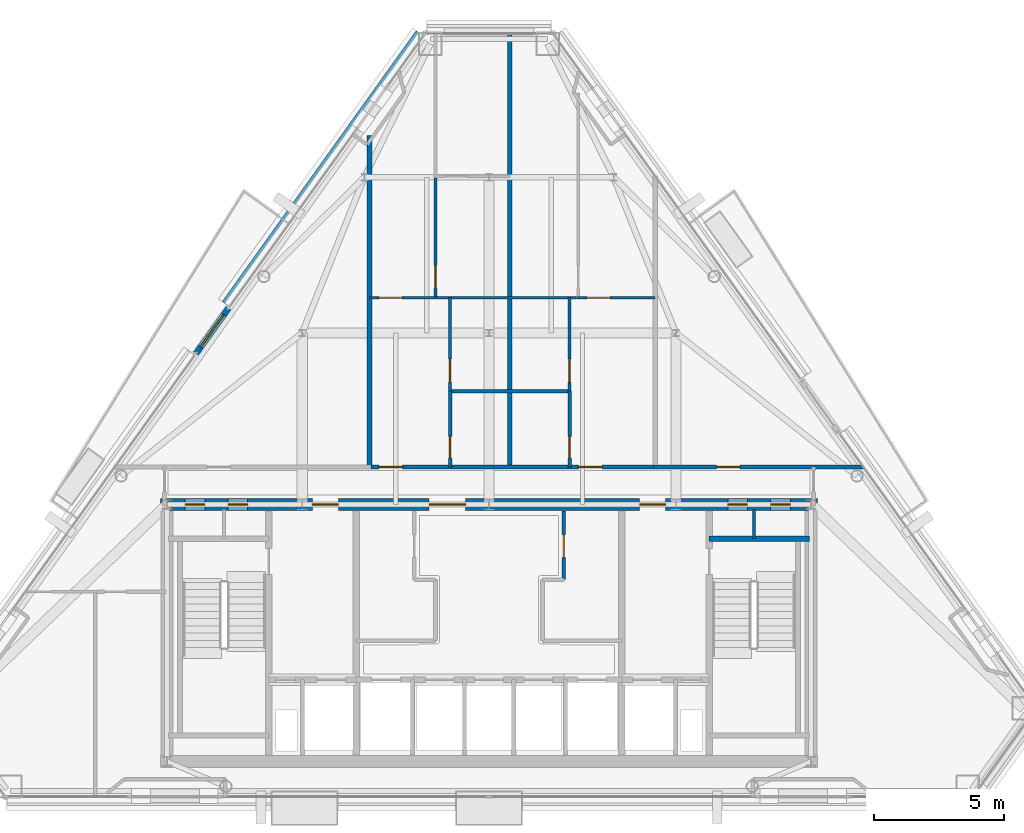
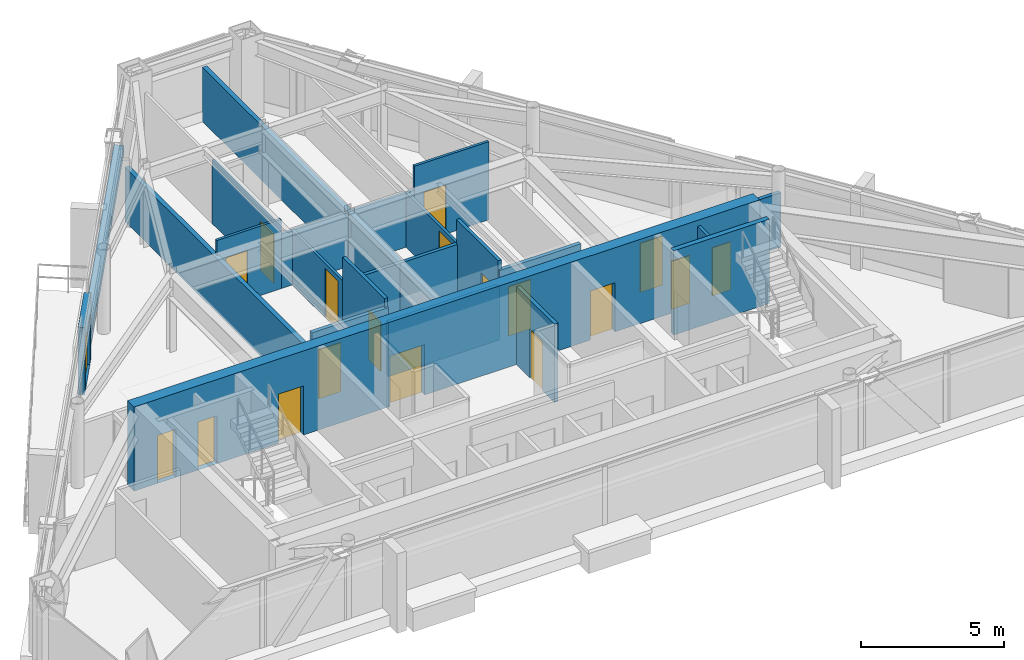
# One storey, part 9 of 12: 21 walls, 19 doors, 19 openings.
"""IFC4 building model written with IfcOpenShell, lengths in metres."""

from ifc_helpers import new_model, si_unit, direction, frame, frame_2d, origin, place, context, subcontext, project, spatial, rectangle, extrude, material, layer, layer_set, type_object, element, fill, save


model = new_model("IFC4")

# Units and contexts
model_context = context("Model", 3, precision=1e-05, world=origin(), true_north=direction((0.0, 1.0)))
body_context = subcontext(model_context, "Body", "Model", "MODEL_VIEW")
ifc_project = project(units=[si_unit("LENGTHUNIT", "METRE"), si_unit("AREAUNIT", "SQUARE_METRE"), si_unit("VOLUMEUNIT", "CUBIC_METRE"), si_unit("PLANEANGLEUNIT", "RADIAN"), si_unit("MASSUNIT", "GRAM", prefix="KILO")], contexts=[model_context])

# Site, building, storey
site_placement = place(None, origin())
site = spatial("IfcSite", under=ifc_project, at=site_placement, CompositionType="ELEMENT")
building_placement = place(site_placement, origin())
building = spatial("IfcBuilding", under=site, at=building_placement, Name="Talgorran Terracotta Tower", CompositionType="ELEMENT")
storey_placement = place(building_placement, frame((0.0, 0.0, 249.0)))
storey = spatial("IfcBuildingStorey", under=building, at=storey_placement, Name="L65", CompositionType="ELEMENT", Elevation=249.0)

# Wall, opening, door
ifc_material_1 = material(Name="Concrete C40/50", Category="concrete")
ifc_layer_1 = layer(ifc_material_1, 0.239990234375, Name="WT_BALCONY_SPAND")
ifc_layer_set_1 = layer_set([ifc_layer_1], Name="Concrete C40/50")
wall_type_1 = type_object("IfcWallType", Name="WT_BALCONY_SPAND", PredefinedType="STANDARD", material=ifc_layer_set_1)
wall_1_placement = place(storey_placement, frame((-10.039306640625, 3.357421875, -0.014892578125), z_axis=(0.0, 0.0, 1.0), x_axis=(-0.58216589686, -0.813070026832, 0.0)))
wall_1 = element("IfcWall", 1, at=wall_1_placement, inside=storey, type_object=wall_type_1, Name="WL-L65-BALP-BAL-NW", PredefinedType="STANDARD", context=body_context, shape_type="SweptSolid", body=[
    extrude(rectangle(XDim=2.14013671875, YDim=0.239990234375, at=frame_2d((1.070068359375, 0.0))), origin(), (0.0, 0.0, 1.0), 2.8779296875),
])
opening_1_placement = place(wall_1_placement, frame((0.320068359375, 0.0, 0.014892578125)))
opening_1 = element("IfcOpeningElement", 2, at=opening_1_placement, cuts=wall_1, Name="Opening D-BAL-L65-2", PredefinedType="OPENING", context=body_context, shape_type="SweptSolid", body=[
    extrude(rectangle(XDim=1.506, YDim=2.203951171875, at=frame_2d((0.75, 1.10205078125))), frame((0.0, 0.1298828125, 0.0), z_axis=(0.0, -1.0, 0.0), x_axis=(1.0, 0.0, 0.0)), (0.0, 0.0, 1.0), 0.260009765625),
])
ifc_material_2 = material(Name="Thermally Broken Aluminium", Category="aluminium")
door_type_1 = type_object("IfcDoorType", Name="DT_BALC_1500", OperationType="SLIDING_TO_RIGHT", PredefinedType="DOOR", material=ifc_material_2)
door_1_placement = place(opening_1_placement, origin())
door_1 = element("IfcDoor", 3, at=door_1_placement, inside=storey, type_object=door_type_1, Name="DR-L65-BAL-BAL-NW", OperationType="SLIDING_TO_RIGHT", OverallHeight=2.199951171875, OverallWidth=1.5, PredefinedType="DOOR", context=body_context, shape_type="SweptSolid", body=[
    extrude(rectangle(XDim=1.5, YDim=2.199951171875, at=frame_2d((0.75, 1.10009765625))), frame((0.0, 0.02490234375, 0.0), z_axis=(0.0, -1.0, 0.0), x_axis=(1.0, 0.0, 0.0)), (0.0, 0.0, 1.0), 0.050048828125),
])
fill(opening_1, door_1)

# Wall
ifc_material_3 = material(Name="Concrete C50/60", Category="concrete")
ifc_layer_2 = layer(ifc_material_3, 0.199951171875, Name="WT_CORE_200")
ifc_layer_set_2 = layer_set([ifc_layer_2], Name="Concrete C50/60")
wall_type_2 = type_object("IfcWallType", Name="WT_CORE_200", PredefinedType="SOLIDWALL", material=ifc_layer_set_2)
wall_2_placement = place(storey_placement, frame((8.47998046875, -5.52001953125, 0.0), z_axis=(0.0, 0.0, 1.0), x_axis=(1.0, 0.0, 0.0)))
element("IfcWall", 4, at=wall_2_placement, inside=storey, type_object=wall_type_2, Name="WL-L65-CW-ST2-N", PredefinedType="SOLIDWALL", context=body_context, shape_type="SweptSolid", body=[
    extrude(rectangle(XDim=3.8701171875, YDim=0.199951171875, at=frame_2d((1.93505859375, 0.0))), origin(), (0.0, 0.0, 1.0), 3.60009765625),
])

# Wall, openings, doors
ifc_material_4 = material(Name="Concrete C65/80", Category="concrete")
ifc_layer_3 = layer(ifc_material_4, 0.449951171875, Name="WT_CORE_EXT")
ifc_layer_set_3 = layer_set([ifc_layer_3], Name="Concrete C65/80")
wall_type_3 = type_object("IfcWallType", Name="WT_CORE_EXT", PredefinedType="SHEAR", material=ifc_layer_set_3)
wall_3_placement = place(storey_placement, frame((-12.64990234375, -4.199951171875, 0.0), z_axis=(0.0, 0.0, 1.0), x_axis=(1.0, 0.0, 0.0)))
wall_3 = element("IfcWall", 5, at=wall_3_placement, inside=storey, type_object=wall_type_3, Name="WL-L65-CW-OUT-N", PredefinedType="SHEAR", context=body_context, shape_type="SweptSolid", body=[
    extrude(rectangle(XDim=25.2998046875, YDim=0.449951171875, at=frame_2d((12.64990234375, 0.0))), origin(), (0.0, 0.0, 1.0), 3.60009765625),
])
opening_2_placement = place(wall_3_placement, frame((0.949951171875, 0.0, 0.0)))
opening_2 = element("IfcOpeningElement", 6, at=opening_2_placement, cuts=wall_3, Name="Opening DR-CSN1", PredefinedType="OPENING", context=body_context, shape_type="SweptSolid", body=[
    extrude(rectangle(XDim=0.756, YDim=2.054048828125, at=frame_2d((0.375, 1.027099609375))), frame((0.0, 0.23486328125, 0.0), z_axis=(0.0, -1.0, 0.0), x_axis=(1.0, 0.0, 0.0)), (0.0, 0.0, 1.0), 0.469970703125),
])
opening_3_placement = place(wall_3_placement, frame((2.60009765625, 0.0, 0.0)))
opening_3 = element("IfcOpeningElement", 7, at=opening_3_placement, cuts=wall_3, Name="Opening DR-CSN2", PredefinedType="OPENING", context=body_context, shape_type="SweptSolid", body=[
    extrude(rectangle(XDim=0.756, YDim=2.054048828125, at=frame_2d((0.375, 1.027099609375))), frame((0.0, 0.23486328125, 0.0), z_axis=(0.0, -1.0, 0.0), x_axis=(1.0, 0.0, 0.0)), (0.0, 0.0, 1.0), 0.469970703125),
])
opening_4_placement = place(wall_3_placement, frame((21.85009765625, 0.0, 0.0)))
opening_4 = element("IfcOpeningElement", 8, at=opening_4_placement, cuts=wall_3, Name="Opening DR-CSN3", PredefinedType="OPENING", context=body_context, shape_type="SweptSolid", body=[
    extrude(rectangle(XDim=0.756, YDim=2.054048828125, at=frame_2d((0.375, 1.027099609375))), frame((0.0, 0.23486328125, 0.0), z_axis=(0.0, -1.0, 0.0), x_axis=(1.0, 0.0, 0.0)), (0.0, 0.0, 1.0), 0.469970703125),
])
opening_5_placement = place(wall_3_placement, frame((23.5, 0.0, 0.0)))
opening_5 = element("IfcOpeningElement", 9, at=opening_5_placement, cuts=wall_3, Name="Opening DR-CSN4", PredefinedType="OPENING", context=body_context, shape_type="SweptSolid", body=[
    extrude(rectangle(XDim=0.756, YDim=2.054048828125, at=frame_2d((0.375, 1.027099609375))), frame((0.0, 0.23486328125, 0.0), z_axis=(0.0, -1.0, 0.0), x_axis=(1.0, 0.0, 0.0)), (0.0, 0.0, 1.0), 0.469970703125),
])
opening_6_placement = place(wall_3_placement, frame((5.85009765625, 0.0, 0.0)))
opening_6 = element("IfcOpeningElement", 10, at=opening_6_placement, cuts=wall_3, Name="Opening DR-FFLW-N", PredefinedType="OPENING", context=body_context, shape_type="SweptSolid", body=[
    extrude(rectangle(XDim=1.006, YDim=2.10409765625, at=frame_2d((0.5, 1.052001953125))), frame((0.0, 0.23486328125, 0.0), z_axis=(0.0, -1.0, 0.0), x_axis=(1.0, 0.0, 0.0)), (0.0, 0.0, 1.0), 0.469970703125),
])
opening_7_placement = place(wall_3_placement, frame((10.35009765625, 0.0, 0.0)))
opening_7 = element("IfcOpeningElement", 11, at=opening_7_placement, cuts=wall_3, Name="Opening DR-PLL-N", PredefinedType="OPENING", context=body_context, shape_type="SweptSolid", body=[
    extrude(rectangle(XDim=1.40590234375, YDim=2.15390234375, at=frame_2d((0.699951171875, 1.076904296875))), frame((0.0, 0.23486328125, 0.0), z_axis=(0.0, -1.0, 0.0), x_axis=(1.0, 0.0, 0.0)), (0.0, 0.0, 1.0), 0.469970703125),
])
opening_8_placement = place(wall_3_placement, frame((18.449951171875, 0.0, 0.0)))
opening_8 = element("IfcOpeningElement", 12, at=opening_8_placement, cuts=wall_3, Name="Opening DR-FFLE-N", PredefinedType="OPENING", context=body_context, shape_type="SweptSolid", body=[
    extrude(rectangle(XDim=1.006, YDim=2.10409765625, at=frame_2d((0.5, 1.052001953125))), frame((0.0, 0.23486328125, 0.0), z_axis=(0.0, -1.0, 0.0), x_axis=(1.0, 0.0, 0.0)), (0.0, 0.0, 1.0), 0.469970703125),
])
ifc_material_5 = material(Name="Acoustic Glazed Timber", Category="wood")
door_type_2 = type_object("IfcDoorType", Name="DT_DOUBLE_1400", OperationType="DOUBLE_DOOR_SINGLE_SWING", PredefinedType="DOOR", material=ifc_material_5)
door_2_placement = place(opening_7_placement, origin())
door_2 = element("IfcDoor", 13, at=door_2_placement, inside=storey, type_object=door_type_2, Name="DR-PLL-N", OperationType="DOUBLE_DOOR_SINGLE_SWING", OverallHeight=2.14990234375, OverallWidth=1.39990234375, PredefinedType="DOOR", context=body_context, shape_type="SweptSolid", body=[
    extrude(rectangle(XDim=1.39990234375, YDim=2.14990234375, at=frame_2d((0.699951171875, 1.074951171875))), frame((0.0, 0.02490234375, 0.0), z_axis=(0.0, -1.0, 0.0), x_axis=(1.0, 0.0, 0.0)), (0.0, 0.0, 1.0), 0.050048828125),
])
fill(opening_7, door_2)
ifc_material_6 = material(Name="Fire-Rated Pressed Steel", Category="steel")
door_type_3 = type_object("IfcDoorType", Name="DT_FIRE_1000", OperationType="NOTDEFINED", PredefinedType="DOOR", material=ifc_material_6)
door_3_placement = place(opening_6_placement, origin())
door_3 = element("IfcDoor", 14, at=door_3_placement, inside=storey, type_object=door_type_3, Name="DR-FFLW-N", OperationType="SINGLE_SWING_LEFT", OverallHeight=2.10009765625, OverallWidth=1.0, PredefinedType="DOOR", context=body_context, shape_type="SweptSolid", body=[
    extrude(rectangle(XDim=1.0, YDim=2.10009765625, at=frame_2d((0.5, 1.050048828125))), frame((0.0, 0.02490234375, 0.0), z_axis=(0.0, -1.0, 0.0), x_axis=(1.0, 0.0, 0.0)), (0.0, 0.0, 1.0), 0.050048828125),
])
fill(opening_6, door_3)
door_4_placement = place(opening_8_placement, origin())
door_4 = element("IfcDoor", 15, at=door_4_placement, inside=storey, type_object=door_type_3, Name="DR-FFLE-N", OperationType="SINGLE_SWING_RIGHT", OverallHeight=2.10009765625, OverallWidth=1.0, PredefinedType="DOOR", context=body_context, shape_type="SweptSolid", body=[
    extrude(rectangle(XDim=1.0, YDim=2.10009765625, at=frame_2d((0.5, 1.050048828125))), frame((0.0, 0.02490234375, 0.0), z_axis=(0.0, -1.0, 0.0), x_axis=(1.0, 0.0, 0.0)), (0.0, 0.0, 1.0), 0.050048828125),
])
fill(opening_8, door_4)
door_type_4 = type_object("IfcDoorType", Name="DT_RISER_750", OperationType="NOTDEFINED", PredefinedType="DOOR", material=ifc_material_6)
door_5_placement = place(opening_2_placement, origin())
door_5 = element("IfcDoor", 16, at=door_5_placement, inside=storey, type_object=door_type_4, Name="DR-CSN1", OperationType="SINGLE_SWING_LEFT", OverallHeight=2.050048828125, OverallWidth=0.75, PredefinedType="DOOR", context=body_context, shape_type="SweptSolid", body=[
    extrude(rectangle(XDim=0.75, YDim=2.050048828125, at=frame_2d((0.375, 1.02490234375))), frame((0.0, 0.02490234375, 0.0), z_axis=(0.0, -1.0, 0.0), x_axis=(1.0, 0.0, 0.0)), (0.0, 0.0, 1.0), 0.050048828125),
])
fill(opening_2, door_5)
door_6_placement = place(opening_3_placement, origin())
door_6 = element("IfcDoor", 17, at=door_6_placement, inside=storey, type_object=door_type_4, Name="DR-CSN2", OperationType="SINGLE_SWING_RIGHT", OverallHeight=2.050048828125, OverallWidth=0.75, PredefinedType="DOOR", context=body_context, shape_type="SweptSolid", body=[
    extrude(rectangle(XDim=0.75, YDim=2.050048828125, at=frame_2d((0.375, 1.02490234375))), frame((0.0, 0.02490234375, 0.0), z_axis=(0.0, -1.0, 0.0), x_axis=(1.0, 0.0, 0.0)), (0.0, 0.0, 1.0), 0.050048828125),
])
fill(opening_3, door_6)
door_7_placement = place(opening_4_placement, origin())
door_7 = element("IfcDoor", 18, at=door_7_placement, inside=storey, type_object=door_type_4, Name="DR-CSN3", OperationType="SINGLE_SWING_LEFT", OverallHeight=2.050048828125, OverallWidth=0.75, PredefinedType="DOOR", context=body_context, shape_type="SweptSolid", body=[
    extrude(rectangle(XDim=0.75, YDim=2.050048828125, at=frame_2d((0.375, 1.02490234375))), frame((0.0, 0.02490234375, 0.0), z_axis=(0.0, -1.0, 0.0), x_axis=(1.0, 0.0, 0.0)), (0.0, 0.0, 1.0), 0.050048828125),
])
fill(opening_4, door_7)
door_8_placement = place(opening_5_placement, origin())
door_8 = element("IfcDoor", 19, at=door_8_placement, inside=storey, type_object=door_type_4, Name="DR-CSN4", OperationType="SINGLE_SWING_RIGHT", OverallHeight=2.050048828125, OverallWidth=0.75, PredefinedType="DOOR", context=body_context, shape_type="SweptSolid", body=[
    extrude(rectangle(XDim=0.75, YDim=2.050048828125, at=frame_2d((0.375, 1.02490234375))), frame((0.0, 0.02490234375, 0.0), z_axis=(0.0, -1.0, 0.0), x_axis=(1.0, 0.0, 0.0)), (0.0, 0.0, 1.0), 0.050048828125),
])
fill(opening_5, door_8)

# Wall, opening, door
ifc_material_7 = material(Name="Fire-Rated Steel Stud Plasterboard", Category="steel")
ifc_layer_4 = layer(ifc_material_7, 0.14990234375, Name="WT_FIRE_150")
ifc_layer_set_4 = layer_set([ifc_layer_4], Name="Fire-Rated Steel Stud Plasterboard")
wall_type_4 = type_object("IfcWallType", Name="WT_FIRE_150", PredefinedType="PARTITIONING", material=ifc_layer_set_4)
wall_4_placement = place(storey_placement, frame((2.8798828125, -7.10009765625, 0.0), z_axis=(0.0, 0.0, 1.0), x_axis=(0.0, 1.0, 0.0)))
wall_4 = element("IfcWall", 20, at=wall_4_placement, inside=storey, type_object=wall_type_4, Name="WL-L65-CW-V-E3N", PredefinedType="PARTITIONING", context=body_context, shape_type="SweptSolid", body=[
    extrude(rectangle(XDim=2.650146484375, YDim=0.14990234375, at=frame_2d((1.3251953125, 0.0))), origin(), (0.0, 0.0, 1.0), 3.344970703125),
])
opening_9_placement = place(wall_4_placement, frame((0.85009765625, 0.0, 0.0)))
opening_9 = element("IfcOpeningElement", 21, at=opening_9_placement, cuts=wall_4, Name="Opening DR-FRPLM-B", PredefinedType="OPENING", context=body_context, shape_type="SweptSolid", body=[
    extrude(rectangle(XDim=0.8858828125, YDim=2.10409765625, at=frame_2d((0.43994140625, 1.052001953125))), frame((0.0, 0.0849609375, 0.0), z_axis=(0.0, -1.0, 0.0), x_axis=(1.0, 0.0, 0.0)), (0.0, 0.0, 1.0), 0.169921875),
])
ifc_material_8 = material(Name="Solid-Core Painted Timber", Category="wood")
door_type_5 = type_object("IfcDoorType", Name="DT_INT_880", OperationType="NOTDEFINED", PredefinedType="DOOR", material=ifc_material_8)
door_9_placement = place(opening_9_placement, origin())
door_9 = element("IfcDoor", 22, at=door_9_placement, inside=storey, type_object=door_type_5, Name="DR-FRPLM-B", OperationType="SINGLE_SWING_RIGHT", OverallHeight=2.10009765625, OverallWidth=0.8798828125, PredefinedType="DOOR", context=body_context, shape_type="SweptSolid", body=[
    extrude(rectangle(XDim=0.8798828125, YDim=2.10009765625, at=frame_2d((0.43994140625, 1.050048828125))), frame((0.0, 0.02490234375, 0.0), z_axis=(0.0, -1.0, 0.0), x_axis=(1.0, 0.0, 0.0)), (0.0, 0.0, 1.0), 0.050048828125),
])
fill(opening_9, door_9)

wall_5_placement = place(storey_placement, frame((6.340087890625, -2.760009765625, 0.0), z_axis=(0.0, 0.0, 1.0), x_axis=(1.0, 0.0, 0.0)))
wall_5 = element("IfcWall", 23, at=wall_5_placement, inside=storey, type_object=wall_type_4, Name="WL-L65-W-L65-R08", PredefinedType="PARTITIONING", context=body_context, shape_type="SweptSolid", body=[
    extrude(rectangle(XDim=8.079833984375, YDim=0.14990234375, at=frame_2d((4.0400390625, 0.0))), origin(), (0.0, 0.0, 1.0), 2.320068359375),
])
opening_10_placement = place(wall_5_placement, frame((2.430908203125, 0.0, 0.0)))
opening_10 = element("IfcOpeningElement", 24, at=opening_10_placement, cuts=wall_5, Name="Opening DR-L65-R17", PredefinedType="OPENING", context=body_context, shape_type="SweptSolid", body=[
    extrude(rectangle(XDim=0.90590234375, YDim=2.10409765625, at=frame_2d((0.449951171875, 1.052001953125))), frame((0.0, 0.0849609375, 0.0), z_axis=(0.0, -1.0, 0.0), x_axis=(1.0, 0.0, 0.0)), (0.0, 0.0, 1.0), 0.169921875),
])
ifc_material_9 = material(Name="Fire-Rated Timber Core", Category="wood")
door_type_6 = type_object("IfcDoorType", Name="DT_FIRE_900", OperationType="NOTDEFINED", PredefinedType="DOOR", material=ifc_material_9)
door_10_placement = place(opening_10_placement, origin())
door_10 = element("IfcDoor", 25, at=door_10_placement, inside=storey, type_object=door_type_6, Name="DR-L65-R17", OperationType="SINGLE_SWING_LEFT", OverallHeight=2.10009765625, OverallWidth=0.89990234375, PredefinedType="DOOR", context=body_context, shape_type="SweptSolid", body=[
    extrude(rectangle(XDim=0.89990234375, YDim=2.10009765625, at=frame_2d((0.449951171875, 1.050048828125))), frame((0.0, 0.02490234375, 0.0), z_axis=(0.0, -1.0, 0.0), x_axis=(1.0, 0.0, 0.0)), (0.0, 0.0, 1.0), 0.050048828125),
])
fill(opening_10, door_10)

wall_6_placement = place(storey_placement, frame((3.0400390625, -2.760009765625, 0.0), z_axis=(0.0, 0.0, 1.0), x_axis=(1.0, 0.0, 0.0)))
wall_6 = element("IfcWall", 26, at=wall_6_placement, inside=storey, type_object=wall_type_4, Name="WL-L65-W-L65-R07", PredefinedType="PARTITIONING", context=body_context, shape_type="SweptSolid", body=[
    extrude(rectangle(XDim=3.2978515625, YDim=0.14990234375, at=frame_2d((1.64892578125, 0.0))), origin(), (0.0, 0.0, 1.0), 2.96435546875),
])
opening_11_placement = place(wall_6_placement, frame((0.39990234375, 0.0, 0.0)))
opening_11 = element("IfcOpeningElement", 27, at=opening_11_placement, cuts=wall_6, Name="Opening DR-L65-R14", PredefinedType="OPENING", context=body_context, shape_type="SweptSolid", body=[
    extrude(rectangle(XDim=0.90590234375, YDim=2.10409765625, at=frame_2d((0.449951171875, 1.052001953125))), frame((0.0, 0.0849609375, 0.0), z_axis=(0.0, -1.0, 0.0), x_axis=(1.0, 0.0, 0.0)), (0.0, 0.0, 1.0), 0.169921875),
])
door_11_placement = place(opening_11_placement, origin())
door_11 = element("IfcDoor", 28, at=door_11_placement, inside=storey, type_object=door_type_6, Name="DR-L65-R14", OperationType="SINGLE_SWING_RIGHT", OverallHeight=2.10009765625, OverallWidth=0.89990234375, PredefinedType="DOOR", context=body_context, shape_type="SweptSolid", body=[
    extrude(rectangle(XDim=0.89990234375, YDim=2.10009765625, at=frame_2d((0.449951171875, 1.050048828125))), frame((0.0, 0.02490234375, 0.0), z_axis=(0.0, -1.0, 0.0), x_axis=(1.0, 0.0, 0.0)), (0.0, 0.0, 1.0), 0.050048828125),
])
fill(opening_11, door_11)

wall_7_placement = place(storey_placement, frame((-4.5380859375, -2.760009765625, 0.0), z_axis=(0.0, 0.0, 1.0), x_axis=(1.0, 0.0, 0.0)))
wall_7 = element("IfcWall", 29, at=wall_7_placement, inside=storey, type_object=wall_type_4, Name="WL-L65-W-L65-R05", PredefinedType="PARTITIONING", context=body_context, shape_type="SweptSolid", body=[
    extrude(rectangle(XDim=3.09814453125, YDim=0.14990234375, at=frame_2d((1.549072265625, 0.0))), origin(), (0.0, 0.0, 1.0), 2.96435546875),
])
opening_12_placement = place(wall_7_placement, frame((0.31201171875, 0.0, 0.0)))
opening_12 = element("IfcOpeningElement", 30, at=opening_12_placement, cuts=wall_7, Name="Opening DR-L65-R08", PredefinedType="OPENING", context=body_context, shape_type="SweptSolid", body=[
    extrude(rectangle(XDim=0.90590234375, YDim=2.10409765625, at=frame_2d((0.449951171875, 1.052001953125))), frame((0.0, 0.0849609375, 0.0), z_axis=(0.0, -1.0, 0.0), x_axis=(1.0, 0.0, 0.0)), (0.0, 0.0, 1.0), 0.169921875),
])
door_12_placement = place(opening_12_placement, origin())
door_12 = element("IfcDoor", 31, at=door_12_placement, inside=storey, type_object=door_type_6, Name="DR-L65-R08", OperationType="SINGLE_SWING_RIGHT", OverallHeight=2.10009765625, OverallWidth=0.89990234375, PredefinedType="DOOR", context=body_context, shape_type="SweptSolid", body=[
    extrude(rectangle(XDim=0.89990234375, YDim=2.10009765625, at=frame_2d((0.449951171875, 1.050048828125))), frame((0.0, 0.02490234375, 0.0), z_axis=(0.0, -1.0, 0.0), x_axis=(1.0, 0.0, 0.0)), (0.0, 0.0, 1.0), 0.050048828125),
])
fill(opening_12, door_12)

# Walls
wall_8_placement = place(storey_placement, frame((-1.43798828125, -2.760009765625, 0.0), z_axis=(0.0, 0.0, 1.0), x_axis=(1.0, 0.0, 0.0)))
element("IfcWall", 32, at=wall_8_placement, inside=storey, type_object=wall_type_4, Name="WL-L65-W-L65-R04", PredefinedType="PARTITIONING", context=body_context, shape_type="SweptSolid", body=[
    extrude(rectangle(XDim=4.47607421875, YDim=0.14990234375, at=frame_2d((2.238037109375, 0.0))), origin(), (0.0, 0.0, 1.0), 2.320068359375),
])
ifc_layer_5 = layer(ifc_material_1, 0.219970703125, Name="WT_PARAPET_RC")
ifc_layer_set_5 = layer_set([ifc_layer_5], Name="Concrete C40/50")
wall_type_5 = type_object("IfcWallType", Name="WT_PARAPET_RC", PredefinedType="PARAPET", material=ifc_layer_set_5)
wall_9_placement = place(storey_placement, frame((-2.66357421875, 13.932373046875, -0.199951171875), z_axis=(0.0, 0.0, 1.0), x_axis=(-0.582199295351, -0.813046112156, 0.0)))
element("IfcWall", 33, at=wall_9_placement, inside=storey, type_object=wall_type_5, Name="L65 Striped Portal Precast Cornice F60", PredefinedType="PARAPET", context=body_context, shape_type="SweptSolid", body=[
    extrude(rectangle(XDim=12.802001953125, YDim=0.360107421875, at=frame_2d((6.40087890625, 0.0))), origin(), (0.0, 0.0, 1.0), 0.3798828125),
])
ifc_material_10 = material(Name="Acoustic Stud and Plasterboard")
ifc_layer_6 = layer(ifc_material_10, 0.179931640625, Name="WT_PARTY_200")
ifc_layer_set_6 = layer_set([ifc_layer_6], Name="Acoustic Stud and Plasterboard")
wall_type_6 = type_object("IfcWallType", Name="WT_PARTY_200", PredefinedType="PARTITIONING", material=ifc_layer_set_6)
wall_10_placement = place(storey_placement, frame((-4.60009765625, -2.739990234375, 0.0), z_axis=(0.0, 0.0, 1.0), x_axis=(0.0, 1.0, 0.0)))
element("IfcWall", 34, at=wall_10_placement, inside=storey, type_object=wall_type_6, Name="WL-L65-W-L65-R12", PredefinedType="PARTITIONING", context=body_context, shape_type="SweptSolid", body=[
    extrude(rectangle(XDim=12.739990234375, YDim=0.179931640625, at=frame_2d((6.3701171875, 0.0))), origin(), (0.0, 0.0, 1.0), 2.320068359375),
])
wall_11_placement = place(storey_placement, frame((0.800048828125, -2.760009765625, 0.0), z_axis=(0.0, 0.0, 1.0), x_axis=(0.0, 1.0, 0.0)))
element("IfcWall", 35, at=wall_11_placement, inside=storey, type_object=wall_type_6, Name="WL-L65-W-L65-R26", PredefinedType="PARTITIONING", context=body_context, shape_type="SweptSolid", body=[
    extrude(rectangle(XDim=16.69677734375, YDim=0.179931640625, at=frame_2d((8.348388671875, 0.0))), origin(), (0.0, 0.0, 1.0), 2.320068359375),
])

# Wall, opening, door
ifc_material_11 = material(Name="Lightweight Steel Stud Partition", Category="steel")
ifc_layer_7 = layer(ifc_material_11, 0.10498046875, Name="WT_PART_110")
ifc_layer_set_7 = layer_set([ifc_layer_7], Name="Lightweight Steel Stud Partition")
wall_type_7 = type_object("IfcWallType", Name="WT_PART_110", PredefinedType="PARTITIONING", material=ifc_layer_set_7)
wall_12_placement = place(storey_placement, frame((-2.06005859375, 3.760009765625, 0.0), z_axis=(0.0, 0.0, 1.0), x_axis=(0.0, 1.0, 0.0)))
wall_12 = element("IfcWall", 36, at=wall_12_placement, inside=storey, type_object=wall_type_7, Name="WL-L65-W-L65-R22", PredefinedType="PARTITIONING", context=body_context, shape_type="SweptSolid", body=[
    extrude(rectangle(XDim=4.617919921875, YDim=0.10498046875, at=frame_2d((2.30908203125, 0.0))), origin(), (0.0, 0.0, 1.0), 2.718017578125),
])
opening_13_placement = place(wall_12_placement, frame((0.360107421875, 0.0, 0.0)))
opening_13 = element("IfcOpeningElement", 37, at=opening_13_placement, cuts=wall_12, Name="Opening DR-L65-R10", PredefinedType="OPENING", context=body_context, shape_type="SweptSolid", body=[
    extrude(rectangle(XDim=0.8858828125, YDim=2.10409765625, at=frame_2d((0.43994140625, 1.052001953125))), frame((0.0, 0.0625, 0.0), z_axis=(0.0, -1.0, 0.0), x_axis=(1.0, 0.0, 0.0)), (0.0, 0.0, 1.0), 0.125),
])
door_13_placement = place(opening_13_placement, origin())
door_13 = element("IfcDoor", 38, at=door_13_placement, inside=storey, type_object=door_type_5, Name="DR-L65-R10", OperationType="SINGLE_SWING_RIGHT", OverallHeight=2.10009765625, OverallWidth=0.8798828125, PredefinedType="DOOR", context=body_context, shape_type="SweptSolid", body=[
    extrude(rectangle(XDim=0.8798828125, YDim=2.10009765625, at=frame_2d((0.43994140625, 1.050048828125))), frame((0.0, 0.02490234375, 0.0), z_axis=(0.0, -1.0, 0.0), x_axis=(1.0, 0.0, 0.0)), (0.0, 0.0, 1.0), 0.050048828125),
])
fill(opening_13, door_13)

wall_13_placement = place(storey_placement, frame((-1.5, 0.159912109375, 0.0), z_axis=(0.0, 0.0, 1.0), x_axis=(0.0, 1.0, 0.0)))
wall_13 = element("IfcWall", 39, at=wall_13_placement, inside=storey, type_object=wall_type_7, Name="WL-L65-W-L65-R17", PredefinedType="PARTITIONING", context=body_context, shape_type="SweptSolid", body=[
    extrude(rectangle(XDim=3.60009765625, YDim=0.10498046875, at=frame_2d((1.800048828125, 0.0))), origin(), (0.0, 0.0, 1.0), 2.320068359375),
])
opening_14_placement = place(wall_13_placement, frame((0.360107421875, 0.0, 0.0)))
opening_14 = element("IfcOpeningElement", 40, at=opening_14_placement, cuts=wall_13, Name="Opening DR-L65-R07", PredefinedType="OPENING", context=body_context, shape_type="SweptSolid", body=[
    extrude(rectangle(XDim=0.8858828125, YDim=2.10409765625, at=frame_2d((0.43994140625, 1.052001953125))), frame((0.0, 0.0625, 0.0), z_axis=(0.0, -1.0, 0.0), x_axis=(1.0, 0.0, 0.0)), (0.0, 0.0, 1.0), 0.125),
])
door_14_placement = place(opening_14_placement, origin())
door_14 = element("IfcDoor", 41, at=door_14_placement, inside=storey, type_object=door_type_5, Name="DR-L65-R07", OperationType="SINGLE_SWING_LEFT", OverallHeight=2.10009765625, OverallWidth=0.8798828125, PredefinedType="DOOR", context=body_context, shape_type="SweptSolid", body=[
    extrude(rectangle(XDim=0.8798828125, YDim=2.10009765625, at=frame_2d((0.43994140625, 1.050048828125))), frame((0.0, 0.02490234375, 0.0), z_axis=(0.0, -1.0, 0.0), x_axis=(1.0, 0.0, 0.0)), (0.0, 0.0, 1.0), 0.050048828125),
])
fill(opening_14, door_14)

wall_14_placement = place(storey_placement, frame((3.10009765625, 0.159912109375, 0.0), z_axis=(0.0, 0.0, 1.0), x_axis=(0.0, 1.0, 0.0)))
wall_14 = element("IfcWall", 42, at=wall_14_placement, inside=storey, type_object=wall_type_7, Name="WL-L65-W-L65-R29", PredefinedType="PARTITIONING", context=body_context, shape_type="SweptSolid", body=[
    extrude(rectangle(XDim=3.60009765625, YDim=0.10498046875, at=frame_2d((1.800048828125, 0.0))), origin(), (0.0, 0.0, 1.0), 2.320068359375),
])
opening_15_placement = place(wall_14_placement, frame((0.360107421875, 0.0, 0.0)))
opening_15 = element("IfcOpeningElement", 43, at=opening_15_placement, cuts=wall_14, Name="Opening DR-L65-R13", PredefinedType="OPENING", context=body_context, shape_type="SweptSolid", body=[
    extrude(rectangle(XDim=0.8858828125, YDim=2.10409765625, at=frame_2d((0.43994140625, 1.052001953125))), frame((0.0, 0.0625, 0.0), z_axis=(0.0, -1.0, 0.0), x_axis=(1.0, 0.0, 0.0)), (0.0, 0.0, 1.0), 0.125),
])
door_15_placement = place(opening_15_placement, origin())
door_15 = element("IfcDoor", 44, at=door_15_placement, inside=storey, type_object=door_type_5, Name="DR-L65-R13", OperationType="SINGLE_SWING_LEFT", OverallHeight=2.10009765625, OverallWidth=0.8798828125, PredefinedType="DOOR", context=body_context, shape_type="SweptSolid", body=[
    extrude(rectangle(XDim=0.8798828125, YDim=2.10009765625, at=frame_2d((0.43994140625, 1.050048828125))), frame((0.0, 0.02490234375, 0.0), z_axis=(0.0, -1.0, 0.0), x_axis=(1.0, 0.0, 0.0)), (0.0, 0.0, 1.0), 0.050048828125),
])
fill(opening_15, door_15)

wall_15_placement = place(storey_placement, frame((3.3798828125, 3.760009765625, 0.0), z_axis=(0.0, 0.0, 1.0), x_axis=(1.0, 0.0, 0.0)))
wall_15 = element("IfcWall", 45, at=wall_15_placement, inside=storey, type_object=wall_type_7, Name="WL-L65-W-L65-R32", PredefinedType="PARTITIONING", context=body_context, shape_type="SweptSolid", body=[
    extrude(rectangle(XDim=3.02001953125, YDim=0.10498046875, at=frame_2d((1.510009765625, 0.0))), origin(), (0.0, 0.0, 1.0), 3.344970703125),
])
opening_16_placement = place(wall_15_placement, frame((0.397216796875, 0.0, 0.0)))
opening_16 = element("IfcOpeningElement", 46, at=opening_16_placement, cuts=wall_15, Name="Opening DR-L65-R16", PredefinedType="OPENING", context=body_context, shape_type="SweptSolid", body=[
    extrude(rectangle(XDim=0.8858828125, YDim=2.10409765625, at=frame_2d((0.43994140625, 1.052001953125))), frame((0.0, 0.0625, 0.0), z_axis=(0.0, -1.0, 0.0), x_axis=(1.0, 0.0, 0.0)), (0.0, 0.0, 1.0), 0.125),
])
door_16_placement = place(opening_16_placement, origin())
door_16 = element("IfcDoor", 47, at=door_16_placement, inside=storey, type_object=door_type_5, Name="DR-L65-R16", OperationType="SINGLE_SWING_RIGHT", OverallHeight=2.10009765625, OverallWidth=0.8798828125, PredefinedType="DOOR", context=body_context, shape_type="SweptSolid", body=[
    extrude(rectangle(XDim=0.8798828125, YDim=2.10009765625, at=frame_2d((0.43994140625, 1.050048828125))), frame((0.0, 0.02490234375, 0.0), z_axis=(0.0, -1.0, 0.0), x_axis=(1.0, 0.0, 0.0)), (0.0, 0.0, 1.0), 0.050048828125),
])
fill(opening_16, door_16)

wall_16_placement = place(storey_placement, frame((-4.60009765625, 3.760009765625, 0.0), z_axis=(0.0, 0.0, 1.0), x_axis=(1.0, 0.0, 0.0)))
wall_16 = element("IfcWall", 48, at=wall_16_placement, inside=storey, type_object=wall_type_7, Name="WL-L65-W-L65-R20", PredefinedType="PARTITIONING", context=body_context, shape_type="SweptSolid", body=[
    extrude(rectangle(XDim=2.60009765625, YDim=0.10498046875, at=frame_2d((1.300048828125, 0.0))), origin(), (0.0, 0.0, 1.0), 2.96435546875),
])
opening_17_placement = place(wall_16_placement, frame((0.360107421875, 0.0, 0.0)))
opening_17 = element("IfcOpeningElement", 49, at=opening_17_placement, cuts=wall_16, Name="Opening DR-L65-R09", PredefinedType="OPENING", context=body_context, shape_type="SweptSolid", body=[
    extrude(rectangle(XDim=0.8858828125, YDim=2.10409765625, at=frame_2d((0.43994140625, 1.052001953125))), frame((0.0, 0.0625, 0.0), z_axis=(0.0, -1.0, 0.0), x_axis=(1.0, 0.0, 0.0)), (0.0, 0.0, 1.0), 0.125),
])
door_17_placement = place(opening_17_placement, origin())
door_17 = element("IfcDoor", 50, at=door_17_placement, inside=storey, type_object=door_type_5, Name="DR-L65-R09", OperationType="SINGLE_SWING_LEFT", OverallHeight=2.10009765625, OverallWidth=0.8798828125, PredefinedType="DOOR", context=body_context, shape_type="SweptSolid", body=[
    extrude(rectangle(XDim=0.8798828125, YDim=2.10009765625, at=frame_2d((0.43994140625, 1.050048828125))), frame((0.0, 0.02490234375, 0.0), z_axis=(0.0, -1.0, 0.0), x_axis=(1.0, 0.0, 0.0)), (0.0, 0.0, 1.0), 0.050048828125),
])
fill(opening_17, door_17)

# Walls
wall_17_placement = place(storey_placement, frame((-1.998046875, 3.760009765625, 0.0), z_axis=(0.0, 0.0, 1.0), x_axis=(1.0, 0.0, 0.0)))
element("IfcWall", 51, at=wall_17_placement, inside=storey, type_object=wall_type_7, Name="WL-L65-W-L65-R18", PredefinedType="PARTITIONING", context=body_context, shape_type="SweptSolid", body=[
    extrude(rectangle(XDim=5.3759765625, YDim=0.10498046875, at=frame_2d((2.68798828125, 0.0))), origin(), (0.0, 0.0, 1.0), 2.320068359375),
])
ifc_material_12 = material(Name="Insulated Steel Stud Plasterboard", Category="steel")
ifc_layer_8 = layer(ifc_material_12, 0.1201171875, Name="WT_PART_120")
ifc_layer_set_8 = layer_set([ifc_layer_8], Name="Insulated Steel Stud Plasterboard")
wall_type_8 = type_object("IfcWallType", Name="WT_PART_120", PredefinedType="PARTITIONING", material=ifc_layer_set_8)
wall_18_placement = place(storey_placement, frame((10.199951171875, -5.52001953125, 0.0), z_axis=(0.0, 0.0, 1.0), x_axis=(0.0, 1.0, 0.0)))
element("IfcWall", 52, at=wall_18_placement, inside=storey, type_object=wall_type_8, Name="WL-L65-CW-CSE-DIV", PredefinedType="PARTITIONING", context=body_context, shape_type="SweptSolid", body=[
    extrude(rectangle(XDim=1.1201171875, YDim=0.1201171875, at=frame_2d((0.56005859375, 0.0))), origin(), (0.0, 0.0, 1.0), 3.344970703125),
])

# Wall, opening, door
ifc_material_13 = material(Name="Moisture-Resistant Stud Wall")
ifc_layer_9 = layer(ifc_material_13, 0.135009765625, Name="WT_PART_135")
ifc_layer_set_9 = layer_set([ifc_layer_9], Name="Moisture-Resistant Stud Wall")
wall_type_9 = type_object("IfcWallType", Name="WT_PART_135", PredefinedType="PARTITIONING", material=ifc_layer_set_9)
wall_19_placement = place(storey_placement, frame((-1.5, -2.760009765625, 0.0), z_axis=(0.0, 0.0, 1.0), x_axis=(0.0, 1.0, 0.0)))
wall_19 = element("IfcWall", 53, at=wall_19_placement, inside=storey, type_object=wall_type_9, Name="WL-L65-W-L65-R15", PredefinedType="PARTITIONING", context=body_context, shape_type="SweptSolid", body=[
    extrude(rectangle(XDim=2.919921875, YDim=0.135009765625, at=frame_2d((1.4599609375, 0.0))), origin(), (0.0, 0.0, 1.0), 3.344970703125),
])
opening_18_placement = place(wall_19_placement, frame((0.357421875, 0.0, 0.0)))
opening_18 = element("IfcOpeningElement", 54, at=opening_18_placement, cuts=wall_19, Name="Opening DR-L65-R06", PredefinedType="OPENING", context=body_context, shape_type="SweptSolid", body=[
    extrude(rectangle(XDim=0.826068359375, YDim=2.10409765625, at=frame_2d((0.41015625, 1.052001953125))), frame((0.0, 0.07763671875, 0.0), z_axis=(0.0, -1.0, 0.0), x_axis=(1.0, 0.0, 0.0)), (0.0, 0.0, 1.0), 0.155029296875),
])
ifc_material_14 = material(Name="Moisture-Resistant Solid Timber", Category="wood")
door_type_7 = type_object("IfcDoorType", Name="DT_INT_820", OperationType="NOTDEFINED", PredefinedType="DOOR", material=ifc_material_14)
door_18_placement = place(opening_18_placement, origin())
door_18 = element("IfcDoor", 55, at=door_18_placement, inside=storey, type_object=door_type_7, Name="DR-L65-R06", OperationType="SINGLE_SWING_RIGHT", OverallHeight=2.10009765625, OverallWidth=0.820068359375, PredefinedType="DOOR", context=body_context, shape_type="SweptSolid", body=[
    extrude(rectangle(XDim=0.820068359375, YDim=2.10009765625, at=frame_2d((0.41015625, 1.050048828125))), frame((0.0, 0.02490234375, 0.0), z_axis=(0.0, -1.0, 0.0), x_axis=(1.0, 0.0, 0.0)), (0.0, 0.0, 1.0), 0.050048828125),
])
fill(opening_18, door_18)

wall_20_placement = place(storey_placement, frame((3.10009765625, -2.760009765625, 0.0), z_axis=(0.0, 0.0, 1.0), x_axis=(0.0, 1.0, 0.0)))
wall_20 = element("IfcWall", 56, at=wall_20_placement, inside=storey, type_object=wall_type_9, Name="WL-L65-W-L65-R28", PredefinedType="PARTITIONING", context=body_context, shape_type="SweptSolid", body=[
    extrude(rectangle(XDim=2.919921875, YDim=0.135009765625, at=frame_2d((1.4599609375, 0.0))), origin(), (0.0, 0.0, 1.0), 3.344970703125),
])
opening_19_placement = place(wall_20_placement, frame((0.357421875, 0.0, 0.0)))
opening_19 = element("IfcOpeningElement", 57, at=opening_19_placement, cuts=wall_20, Name="Opening DR-L65-R12", PredefinedType="OPENING", context=body_context, shape_type="SweptSolid", body=[
    extrude(rectangle(XDim=0.826068359375, YDim=2.10409765625, at=frame_2d((0.41015625, 1.052001953125))), frame((0.0, 0.07763671875, 0.0), z_axis=(0.0, -1.0, 0.0), x_axis=(1.0, 0.0, 0.0)), (0.0, 0.0, 1.0), 0.155029296875),
])
door_19_placement = place(opening_19_placement, origin())
door_19 = element("IfcDoor", 58, at=door_19_placement, inside=storey, type_object=door_type_7, Name="DR-L65-R12", OperationType="SINGLE_SWING_RIGHT", OverallHeight=2.10009765625, OverallWidth=0.820068359375, PredefinedType="DOOR", context=body_context, shape_type="SweptSolid", body=[
    extrude(rectangle(XDim=0.820068359375, YDim=2.10009765625, at=frame_2d((0.41015625, 1.050048828125))), frame((0.0, 0.02490234375, 0.0), z_axis=(0.0, -1.0, 0.0), x_axis=(1.0, 0.0, 0.0)), (0.0, 0.0, 1.0), 0.050048828125),
])
fill(opening_19, door_19)

# Wall
wall_21_placement = place(storey_placement, frame((-1.5, 0.159912109375, 0.0), z_axis=(0.0, 0.0, 1.0), x_axis=(1.0, 0.0, 0.0)))
element("IfcWall", 59, at=wall_21_placement, inside=storey, type_object=wall_type_9, Name="WL-L65-W-L65-R14", PredefinedType="PARTITIONING", context=body_context, shape_type="SweptSolid", body=[
    extrude(rectangle(XDim=4.60009765625, YDim=0.135009765625, at=frame_2d((2.300048828125, 0.0))), origin(), (0.0, 0.0, 1.0), 2.320068359375),
])

save(model, "model.ifc")
